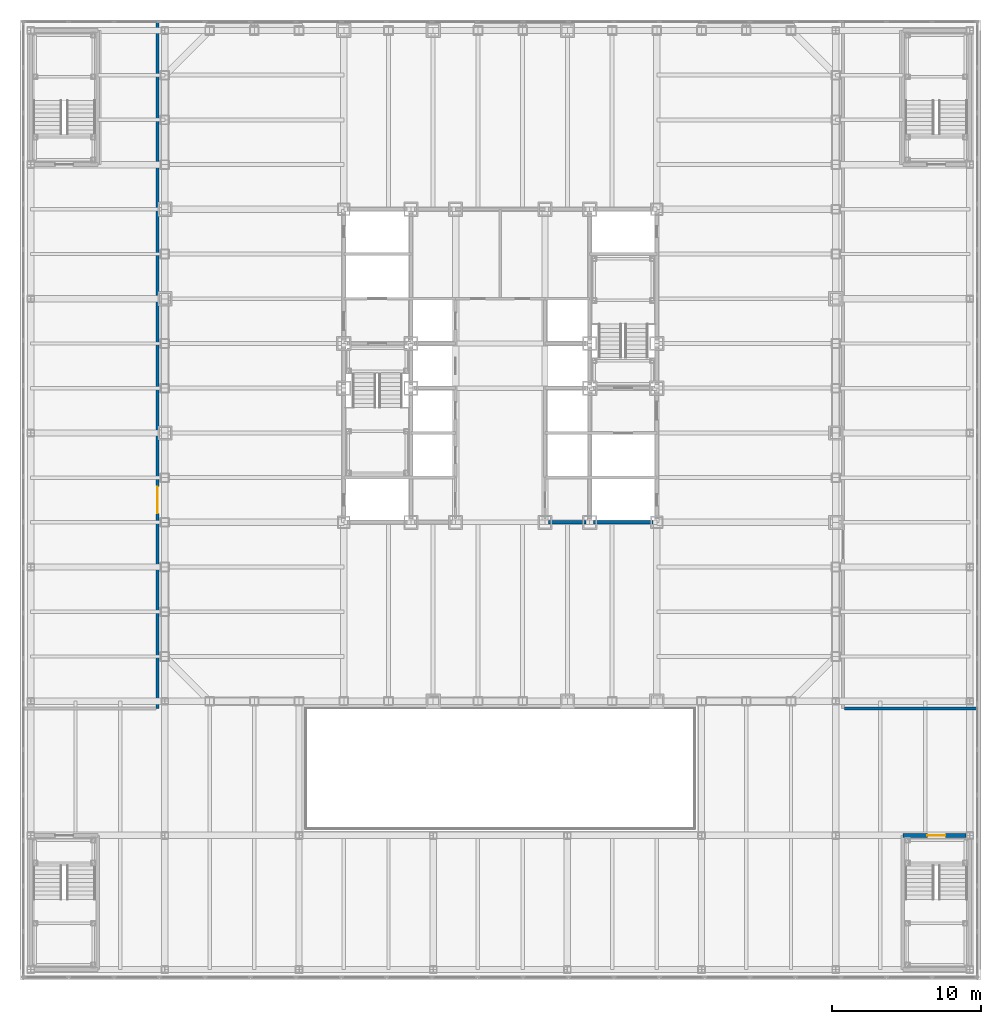
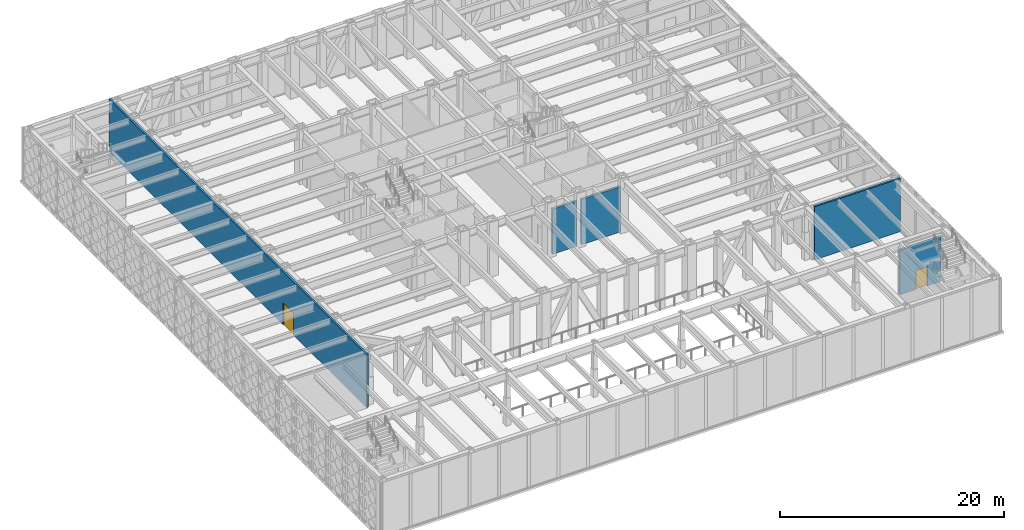
# One storey, part 15 of 32: 5 walls, 2 doors, 2 openings.
"""IFC4 building model written with IfcOpenShell, lengths in metres."""

from ifc_helpers import new_model, si_unit, direction, frame, frame_2d, origin, place, context, subcontext, project, spatial, rectangle, extrude, material, layer, layer_set, type_object, element, fill, save


model = new_model("IFC4")

# Units and contexts
model_context = context("Model", 3, precision=1e-05, world=origin(), true_north=direction((0.0, 1.0)))
body_context = subcontext(model_context, "Body", "Model", "MODEL_VIEW")
ifc_project = project(units=[si_unit("LENGTHUNIT", "METRE"), si_unit("AREAUNIT", "SQUARE_METRE"), si_unit("VOLUMEUNIT", "CUBIC_METRE"), si_unit("PLANEANGLEUNIT", "RADIAN"), si_unit("MASSUNIT", "GRAM", prefix="KILO")], contexts=[model_context])

# Site, building, storey
site_placement = place(None, origin())
site = spatial("IfcSite", under=ifc_project, at=site_placement, CompositionType="ELEMENT")
building_placement = place(site_placement, origin())
building = spatial("IfcBuilding", under=site, at=building_placement, Name="Chuquiago Exchange Tower", CompositionType="ELEMENT")
storey_placement = place(building_placement, frame((0.0, 0.0, 13.5)))
storey = spatial("IfcBuildingStorey", under=building, at=storey_placement, Name="L02", CompositionType="ELEMENT", Elevation=13.5)

# Walls
ifc_material_1 = material(Name="Concrete masonry, fully grouted", Category="masonry")
ifc_layer_1 = layer(ifc_material_1, 0.25)
ifc_layer_set_1 = layer_set([ifc_layer_1], Name="W1 core wall 250")
wall_type_1 = type_object("IfcWallType", Name="W1 core wall 250", PredefinedType="SOLIDWALL", material=ifc_layer_set_1)
wall_1_placement = place(storey_placement, frame((25.75, 12.0, 0.0), z_axis=(0.0, 0.0, 1.0), x_axis=(1.0, 0.0, 0.0)))
element("IfcWall", 1, at=wall_1_placement, inside=storey, type_object=wall_type_1, Name="CW-L02-02-0", PredefinedType="SOLIDWALL", context=body_context, shape_type="SweptSolid", body=[
    extrude(rectangle(XDim=2.5, YDim=0.25, at=frame_2d((1.25, 0.0))), origin(), (0.0, 0.0, 1.0), 4.94140625),
])
wall_2_placement = place(storey_placement, frame((28.75, 12.0, 0.0), z_axis=(0.0, 0.0, 1.0), x_axis=(1.0, 0.0, 0.0)))
element("IfcWall", 2, at=wall_2_placement, inside=storey, type_object=wall_type_1, Name="CW-L02-02-1", PredefinedType="SOLIDWALL", context=body_context, shape_type="SweptSolid", body=[
    extrude(rectangle(XDim=4.0, YDim=0.25, at=frame_2d((2.0, 0.0))), origin(), (0.0, 0.0, 1.0), 4.94140625),
])

# Wall, opening, door
ifc_material_2 = material(Name="Concrete masonry, fully grouted", Category="masonry")
ifc_layer_2 = layer(ifc_material_2, 0.25)
ifc_layer_set_2 = layer_set([ifc_layer_2], Name="W10 podium stair wall 250")
wall_type_2 = type_object("IfcWallType", Name="W10 podium stair wall 250", PredefinedType="SOLIDWALL", material=ifc_layer_set_2)
wall_3_placement = place(storey_placement, frame((49.5, -9.0, 0.0), z_axis=(0.0, 0.0, 1.0), x_axis=(1.0, 0.0, 0.0)))
wall_3 = element("IfcWall", 3, at=wall_3_placement, inside=storey, type_object=wall_type_2, Name="PSW-L02-PS2-20", PredefinedType="SOLIDWALL", context=body_context, shape_type="SweptSolid", body=[
    extrude(rectangle(XDim=4.25, YDim=0.25, at=frame_2d((2.125, 0.0))), origin(), (0.0, 0.0, 1.0), 4.8525390625),
])
opening_1_placement = place(wall_3_placement, frame((1.64990234375, 0.0, 0.0)))
opening_1 = element("IfcOpeningElement", 4, at=opening_1_placement, cuts=wall_3, Name="Opening L02-022", PredefinedType="OPENING", context=body_context, shape_type="SweptSolid", body=[
    extrude(rectangle(XDim=1.199951171875, YDim=2.10009765625, at=frame_2d((0.60009765625, 1.050048828125))), frame((0.0, 0.135009765625, 0.0), z_axis=(0.0, -1.0, 0.0), x_axis=(1.0, 0.0, 0.0)), (0.0, 0.0, 1.0), 0.27001953125),
])
ifc_material_3 = material(Name="Steel door, painted", Category="steel")
door_type_1 = type_object("IfcDoorType", Name="D4 stair door 1200x2100", OperationType="SINGLE_SWING_LEFT", PredefinedType="DOOR", material=ifc_material_3)
door_1_placement = place(opening_1_placement, frame((1.199951171875, 0.0, 0.0), z_axis=(0.0, 0.0, 1.0), x_axis=(-1.0, 0.0, 0.0)))
door_1 = element("IfcDoor", 5, at=door_1_placement, inside=storey, type_object=door_type_1, Name="Stair PS2 door", OperationType="SINGLE_SWING_RIGHT", OverallHeight=2.10009765625, OverallWidth=1.199951171875, PredefinedType="DOOR", context=body_context, shape_type="SweptSolid", body=[
    extrude(rectangle(XDim=1.199951171875, YDim=2.10009765625, at=frame_2d((0.60009765625, 1.050048828125))), frame((0.0, 0.02490234375, 0.0), z_axis=(0.0, -1.0, 0.0), x_axis=(1.0, 0.0, 0.0)), (0.0, 0.0, 1.0), 0.050048828125),
])
fill(opening_1, door_1)

ifc_material_4 = material(Name="Gypsum board on steel studs, double layer", Category="steel")
ifc_layer_3 = layer(ifc_material_4, 0.199951171875)
ifc_layer_set_3 = layer_set([ifc_layer_3], Name="W6 wing partition 200")
wall_type_3 = type_object("IfcWallType", Name="W6 wing partition 200", PredefinedType="PARTITIONING", material=ifc_layer_set_3)
wall_4_placement = place(storey_placement, frame((-0.5, -0.5, 0.0), z_axis=(0.0, 0.0, 1.0), x_axis=(0.0, 1.0, 0.0)))
wall_4 = element("IfcWall", 6, at=wall_4_placement, inside=storey, type_object=wall_type_3, Name="WW-L02-W", PredefinedType="PARTITIONING", context=body_context, shape_type="SweptSolid", body=[
    extrude(rectangle(XDim=46.017578125, YDim=0.199951171875, at=frame_2d((23.0087890625, 0.0))), origin(), (0.0, 0.0, 1.0), 5.800048828125),
])
opening_2_placement = place(wall_4_placement, frame((13.10009765625, 0.0, 0.0)))
opening_2 = element("IfcOpeningElement", 7, at=opening_2_placement, cuts=wall_4, Name="Opening L02-019", PredefinedType="OPENING", context=body_context, shape_type="SweptSolid", body=[
    extrude(rectangle(XDim=1.800048828125, YDim=2.39990234375, at=frame_2d((0.89990234375, 1.199951171875))), frame((0.0, 0.10986328125, 0.0), z_axis=(0.0, -1.0, 0.0), x_axis=(1.0, 0.0, 0.0)), (0.0, 0.0, 1.0), 0.219970703125),
])
ifc_material_5 = material(Name="Timber door, laminate faced", Category="wood")
door_type_2 = type_object("IfcDoorType", Name="D10 double door 1800x2400", OperationType="DOUBLE_DOOR_DOUBLE_SWING", PredefinedType="DOOR", material=ifc_material_5)
door_2_placement = place(opening_2_placement, origin())
door_2 = element("IfcDoor", 8, at=door_2_placement, inside=storey, type_object=door_type_2, Name="Training room door", OperationType="DOUBLE_DOOR_DOUBLE_SWING", OverallHeight=2.39990234375, OverallWidth=1.800048828125, PredefinedType="DOOR", context=body_context, shape_type="SweptSolid", body=[
    extrude(rectangle(XDim=1.800048828125, YDim=2.39990234375, at=frame_2d((0.89990234375, 1.199951171875))), frame((0.0, 0.02490234375, 0.0), z_axis=(0.0, -1.0, 0.0), x_axis=(1.0, 0.0, 0.0)), (0.0, 0.0, 1.0), 0.050048828125),
])
fill(opening_2, door_2)

# Wall
wall_5_placement = place(storey_placement, frame((45.60009765625, -0.5, 0.0), z_axis=(0.0, 0.0, 1.0), x_axis=(1.0, 0.0, 0.0)))
element("IfcWall", 9, at=wall_5_placement, inside=storey, type_object=wall_type_3, Name="WW-L02-SE", PredefinedType="PARTITIONING", context=body_context, shape_type="SweptSolid", body=[
    extrude(rectangle(XDim=8.867919921875, YDim=0.199951171875, at=frame_2d((4.43408203125, 0.0))), origin(), (0.0, 0.0, 1.0), 5.800048828125),
])

save(model, "model.ifc")
